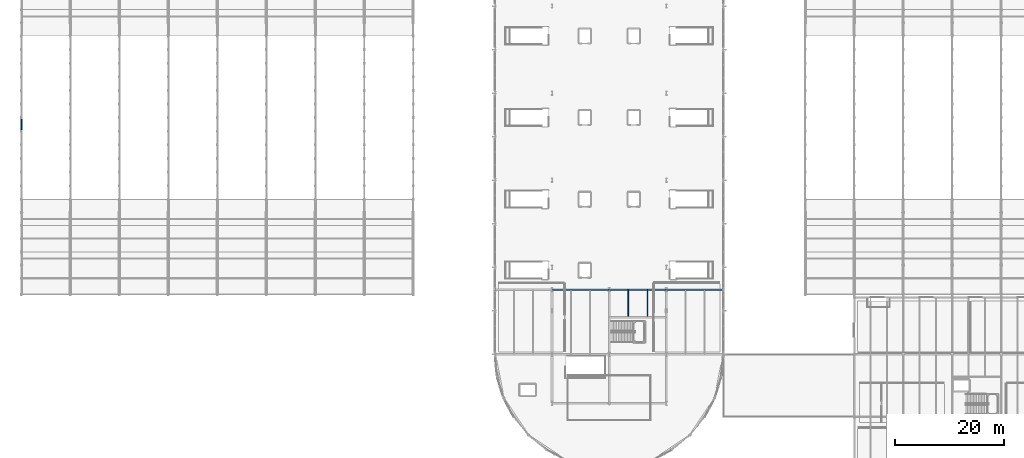
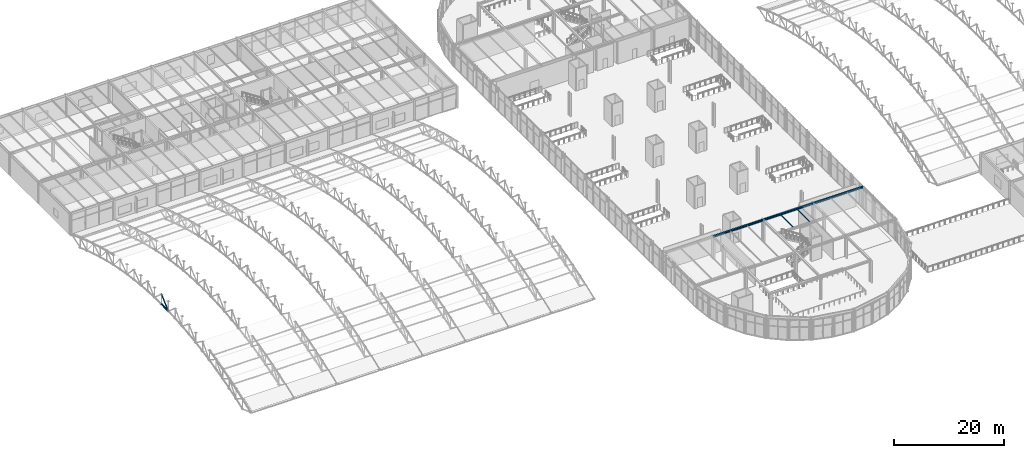
# One storey, part 32 of 195: 5 beams, 2 members.
"""IFC4 building model written with IfcOpenShell, lengths in metres."""

from ifc_helpers import new_model, si_unit, direction, frame, origin, origin_2d, place, context, subcontext, project, spatial, hollow_circle, i_section, extrude, material, material_profile, profile_set, type_object, element, save


model = new_model("IFC4")

# Units and contexts
model_context = context("Model", 3, precision=1e-05, world=origin(), true_north=direction((0.0, 1.0)))
body_context = subcontext(model_context, "Body", "Model", "MODEL_VIEW")
ifc_project = project(units=[si_unit("LENGTHUNIT", "METRE"), si_unit("AREAUNIT", "SQUARE_METRE"), si_unit("VOLUMEUNIT", "CUBIC_METRE"), si_unit("PLANEANGLEUNIT", "RADIAN"), si_unit("MASSUNIT", "GRAM", prefix="KILO")], contexts=[model_context])

# Site, building, storey
site_placement = place(None, origin())
site = spatial("IfcSite", under=ifc_project, at=site_placement, CompositionType="ELEMENT")
building_placement = place(site_placement, origin())
building = spatial("IfcBuilding", under=site, at=building_placement, Name="Marlcrest Central Station", CompositionType="ELEMENT")
storey_placement = place(building_placement, frame((0.0, 0.0, 9.800048828125)))
storey = spatial("IfcBuildingStorey", under=building, at=storey_placement, Name="L02", CompositionType="ELEMENT", Elevation=9.800048828125)

# Members
ifc_material = material(Name="Steel S355", Category="steel")
ifc_material_profile_1 = material_profile(ifc_material, hollow_circle(Radius=0.177734375, WallThickness=0.01611328125, at=origin_2d()), Name="CHS 355.6x16")
ifc_profile_set_1 = profile_set([ifc_material_profile_1], Name="Steel S355")
member_type_1 = type_object("IfcMemberType", Name="AC-02", PredefinedType="CHORD", material=ifc_profile_set_1)
member_1_placement = place(storey_placement, frame((0.0, 63.5, 4.76123046875), z_axis=(0.0, 0.999879472592, 0.01552547228), x_axis=(-1.0, 0.0, 0.0)))
element("IfcMember", 1, at=member_1_placement, inside=storey, type_object=member_type_1, Name="mem-AC-02-L02-00108", PredefinedType="CHORD", context=body_context, shape_type="SweptSolid", body=[
    extrude(hollow_circle(Radius=0.177734375, WallThickness=0.01611328125, at=origin_2d()), origin(), (0.0, 0.0, 1.0), 2.500244140625),
])
ifc_material_profile_2 = material_profile(ifc_material, hollow_circle(Radius=0.084228515625, WallThickness=0.010009765625, at=origin_2d()), Name="CHS 168.3x10")
ifc_profile_set_2 = profile_set([ifc_material_profile_2], Name="Steel S355")
member_type_2 = type_object("IfcMemberType", Name="AD-01", PredefinedType="BRACE", material=ifc_profile_set_2)
member_2_placement = place(storey_placement, frame((0.0, 63.5, 4.76123046875), z_axis=(0.0, 0.744955843007, 0.66711377738), x_axis=(-1.0, 0.0, 0.0)))
element("IfcMember", 2, at=member_2_placement, inside=storey, type_object=member_type_2, Name="mem-AD-01-L02-00110", PredefinedType="BRACE", context=body_context, shape_type="SweptSolid", body=[
    extrude(hollow_circle(Radius=0.084228515625, WallThickness=0.010009765625, at=origin_2d()), origin(), (0.0, 0.0, 1.0), 3.35595703125),
])

# Beams
ifc_material_profile_3 = material_profile(ifc_material, i_section(OverallWidth=0.300048828125, OverallDepth=0.389892578125, WebThickness=0.010986328125, FlangeThickness=0.01904296875, FilletRadius=0.027099609375, at=origin_2d()), Name="HEA 400")
ifc_profile_set_3 = profile_set([ifc_material_profile_3], Name="Steel S355")
beam_type_1 = type_object("IfcBeamType", Name="BM-08", PredefinedType="BEAM", material=ifc_profile_set_3)
for number, where, z_axis, x_axis, name in (
    (3, (97.550048828125, 34.39990234375, 4.800048828125), (1.0, 0.0, 0.0), (0.0, 1.0, 0.0), "bm-BM-08-L02-01388"),
    (4, (108.050048828125, 34.39990234375, 4.800048828125), (1.0, 0.0, 0.0), (0.0, 1.0, 0.0), "bm-BM-08-L02-01389"),
    (5, (118.550048828125, 34.39990234375, 4.800048828125), (1.0, 0.0, 0.0), (0.0, 1.0, 0.0), "bm-BM-08-L02-01390"),
):
    element("IfcBeam", number, at=place(storey_placement, frame(where, z_axis=z_axis, x_axis=x_axis)), inside=storey, type_object=beam_type_1, Name=name, PredefinedType="BEAM", context=body_context, shape_type="SweptSolid", body=[
        extrude(i_section(OverallWidth=0.300048828125, OverallDepth=0.389892578125, WebThickness=0.010986328125, FlangeThickness=0.01904296875, FilletRadius=0.027099609375, at=origin_2d()), origin(), (0.0, 0.0, 1.0), 10.39990234375),
    ])
ifc_material_profile_4 = material_profile(ifc_material, i_section(OverallWidth=0.110107421875, OverallDepth=0.219970703125, WebThickness=0.005859375, FlangeThickness=0.00927734375, FilletRadius=0.011962890625, at=origin_2d()), Name="IPE 220")
ifc_profile_set_4 = profile_set([ifc_material_profile_4], Name="Steel S355")
beam_type_2 = type_object("IfcBeamType", Name="JS-02", PredefinedType="JOIST", material=ifc_profile_set_4)
for number, where, z_axis, x_axis, name in (
    (6, (111.5, 29.498046875, 4.885009765625), (0.0, 1.0, 0.0), (-1.0, 0.0, 0.0), "bm-JS-02-L02-01401"),
    (7, (115.0, 29.498046875, 4.885009765625), (0.0, 1.0, 0.0), (-1.0, 0.0, 0.0), "bm-JS-02-L02-01402"),
):
    element("IfcBeam", number, at=place(storey_placement, frame(where, z_axis=z_axis, x_axis=x_axis)), inside=storey, type_object=beam_type_2, Name=name, PredefinedType="JOIST", context=body_context, shape_type="SweptSolid", body=[
        extrude(i_section(OverallWidth=0.110107421875, OverallDepth=0.219970703125, WebThickness=0.005859375, FlangeThickness=0.00927734375, FilletRadius=0.011962890625, at=origin_2d()), origin(), (0.0, 0.0, 1.0), 4.75390625),
    ])

save(model, "model.ifc")
